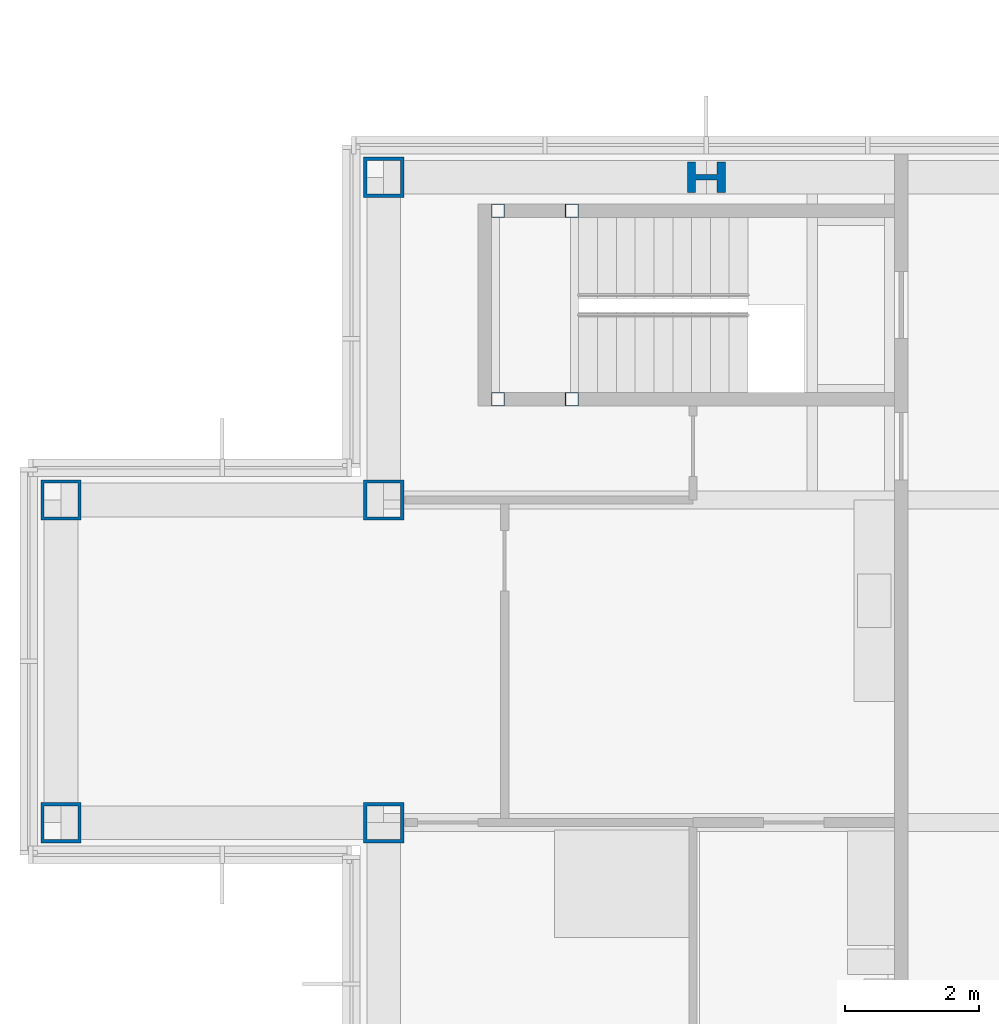
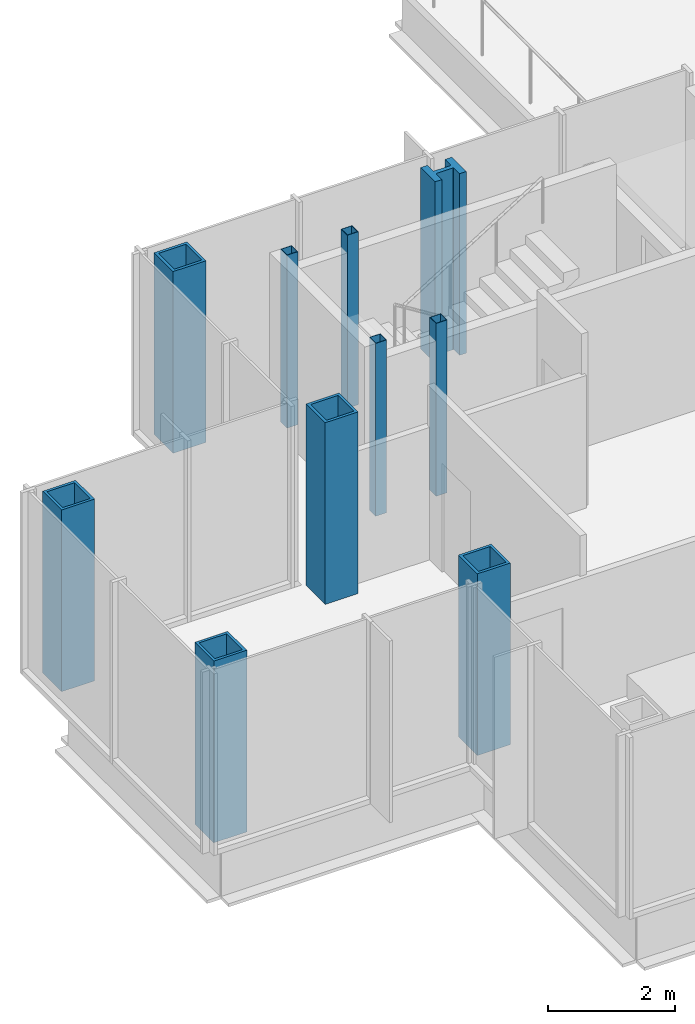
# One storey, part 3 of 14: 10 columns.
"""IFC4 building model written with IfcOpenShell, lengths in metres."""

from ifc_helpers import new_model, si_unit, direction, frame, origin, origin_2d, place, context, subcontext, project, spatial, hollow_rectangle, i_section, extrude, material, material_profile, profile_set, type_object, element, save


model = new_model("IFC4")

# Units and contexts
model_context = context("Model", 3, precision=1e-05, world=origin(), true_north=direction((0.0, 1.0)))
body_context = subcontext(model_context, "Body", "Model", "MODEL_VIEW")
ifc_project = project(units=[si_unit("LENGTHUNIT", "METRE"), si_unit("AREAUNIT", "SQUARE_METRE"), si_unit("VOLUMEUNIT", "CUBIC_METRE"), si_unit("PLANEANGLEUNIT", "RADIAN"), si_unit("MASSUNIT", "GRAM", prefix="KILO")], contexts=[model_context])

# Site, building, storey
site_placement = place(None, origin())
site = spatial("IfcSite", under=ifc_project, at=site_placement, CompositionType="ELEMENT")
building_placement = place(site_placement, origin())
building = spatial("IfcBuilding", under=site, at=building_placement, Name="Kvirike Care Tower", CompositionType="ELEMENT")
storey_placement = place(building_placement, frame((0.0, 0.0, 194.5)))
storey = spatial("IfcBuildingStorey", under=building, at=storey_placement, Name="L53", CompositionType="ELEMENT", Elevation=194.5)

# Columns
ifc_material_1 = material(Name="Steel S460", Category="steel")
ifc_material_profile_1 = material_profile(ifc_material_1, hollow_rectangle(XDim=0.60009765625, YDim=0.60009765625, WallThickness=0.050048828125, at=origin_2d()), Name="BX 600x600x50")
ifc_profile_set_1 = profile_set([ifc_material_profile_1], Name="Steel S460")
column_type_1 = type_object("IfcColumnType", Name="COLUMN BX 600x600x50", PredefinedType="COLUMN", material=ifc_profile_set_1)
for number, where, z_axis, x_axis, name in (
    (1, (0.0, 33.60009765625, 0.0), (0.0, 0.0, 1.0), (0.0, 1.0, 0.0), "Column H3 L53"),
    (2, (0.0, 38.39990234375, 0.0), (0.0, 0.0, 1.0), (0.0, 1.0, 0.0), "Column J3 L53"),
    (3, (4.800048828125, 33.60009765625, 0.0), (0.0, 0.0, 1.0), (0.0, 1.0, 0.0), "Column H4 L53"),
    (4, (4.800048828125, 38.39990234375, 0.0), (0.0, 0.0, 1.0), (0.0, 1.0, 0.0), "Column J4 L53"),
    (5, (4.800048828125, 43.199951171875, 0.0), (0.0, 0.0, 1.0), (0.0, 1.0, 0.0), "Column K4 L53"),
):
    element("IfcColumn", number, at=place(storey_placement, frame(where, z_axis=z_axis, x_axis=x_axis)), inside=storey, type_object=column_type_1, Name=name, PredefinedType="COLUMN", context=body_context, shape_type="SweptSolid", body=[
        extrude(hollow_rectangle(XDim=0.60009765625, YDim=0.60009765625, WallThickness=0.050048828125, at=origin_2d()), origin(), (0.0, 0.0, 1.0), 3.5),
    ])
ifc_material_2 = material(Name="Steel S460", Category="steel")
ifc_material_profile_2 = material_profile(ifc_material_2, i_section(OverallWidth=0.4541015625, OverallDepth=0.569091796875, WebThickness=0.077880859375, FlangeThickness=0.125, FilletRadius=0.014892578125, at=origin_2d()), Name="HD 400x1086")
ifc_profile_set_2 = profile_set([ifc_material_profile_2], Name="Steel S460")
column_type_2 = type_object("IfcColumnType", Name="COLUMN HD 400x1086", PredefinedType="COLUMN", material=ifc_profile_set_2)
column_placement = place(storey_placement, frame((9.60009765625, 43.199951171875, 0.0), z_axis=(0.0, 0.0, 1.0), x_axis=(0.0, 1.0, 0.0)))
element("IfcColumn", 6, at=column_placement, inside=storey, type_object=column_type_2, Name="Column K5 L53", PredefinedType="COLUMN", context=body_context, shape_type="SweptSolid", body=[
    extrude(i_section(OverallWidth=0.4541015625, OverallDepth=0.569091796875, WebThickness=0.077880859375, FlangeThickness=0.125, FilletRadius=0.014892578125, at=origin_2d()), origin(), (0.0, 0.0, 1.0), 3.5),
])
ifc_material_3 = material(Name="Steel S460", Category="steel")
ifc_material_profile_3 = material_profile(ifc_material_3, hollow_rectangle(XDim=0.199951171875, YDim=0.199951171875, WallThickness=0.008056640625, at=origin_2d()), Name="SHS 200x200x8")
ifc_profile_set_3 = profile_set([ifc_material_profile_3], Name="Steel S460")
column_type_3 = type_object("IfcColumnType", Name="STAIR POST SHS 200x200x8", PredefinedType="COLUMN", material=ifc_profile_set_3)
for number, where, z_axis, x_axis, name in (
    (7, (6.5, 42.699951171875, 0.0), (0.0, 0.0, 1.0), (1.0, 0.0, 0.0), "Stair 1 post 1 L53"),
    (8, (6.5, 39.89990234375, 0.0), (0.0, 0.0, 1.0), (1.0, 0.0, 0.0), "Stair 1 post 2 L53"),
    (9, (7.60009765625, 42.699951171875, 0.0), (0.0, 0.0, 1.0), (1.0, 0.0, 0.0), "Stair 1 post 3 L53"),
    (10, (7.60009765625, 39.89990234375, 0.0), (0.0, 0.0, 1.0), (1.0, 0.0, 0.0), "Stair 1 post 4 L53"),
):
    element("IfcColumn", number, at=place(storey_placement, frame(where, z_axis=z_axis, x_axis=x_axis)), inside=storey, type_object=column_type_3, Name=name, PredefinedType="COLUMN", context=body_context, shape_type="SweptSolid", body=[
        extrude(hollow_rectangle(XDim=0.199951171875, YDim=0.199951171875, WallThickness=0.008056640625, at=origin_2d()), origin(), (0.0, 0.0, 1.0), 3.330078125),
    ])

save(model, "model.ifc")
